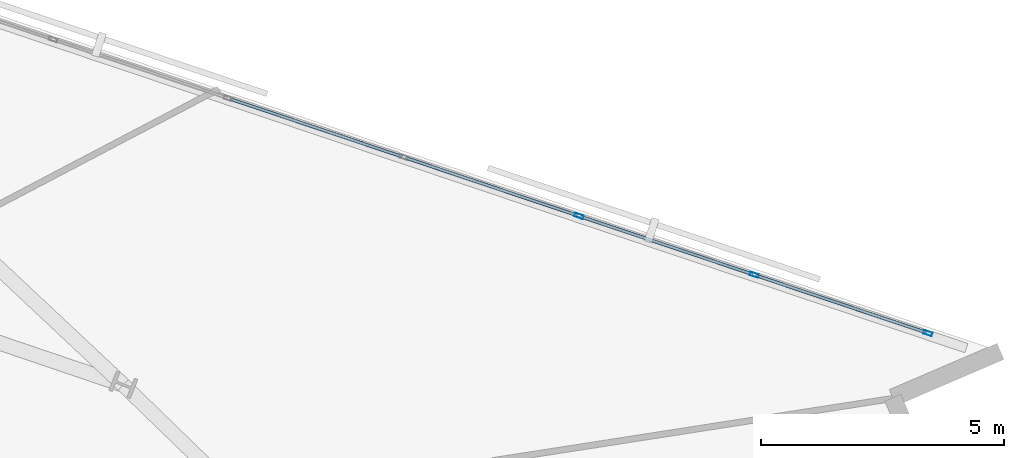
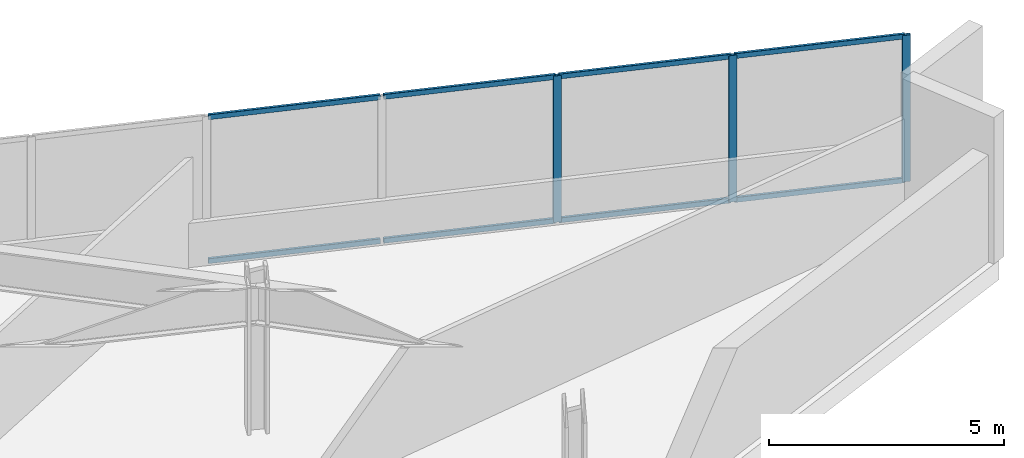
# One storey, part 5 of 14: 11 members, 1 element without a shape of its own.
"""IFC4 building model written with IfcOpenShell, lengths in metres."""

from ifc_helpers import new_model, si_unit, direction, frame, origin, origin_2d, place, context, subcontext, project, spatial, hollow_rectangle, extrude, material, material_profile, profile_set, type_object, element, aggregate, save


model = new_model("IFC4")

# Units and contexts
model_context = context("Model", 3, precision=1e-05, world=origin(), true_north=direction((0.0, 1.0)))
body_context = subcontext(model_context, "Body", "Model", "MODEL_VIEW")
ifc_project = project(units=[si_unit("LENGTHUNIT", "METRE"), si_unit("AREAUNIT", "SQUARE_METRE"), si_unit("VOLUMEUNIT", "CUBIC_METRE"), si_unit("PLANEANGLEUNIT", "RADIAN"), si_unit("MASSUNIT", "GRAM", prefix="KILO")], contexts=[model_context])

# Site, building, storey
site_placement = place(None, origin())
site = spatial("IfcSite", under=ifc_project, at=site_placement, CompositionType="ELEMENT")
building_placement = place(site_placement, origin())
building = spatial("IfcBuilding", under=site, at=building_placement, Name="Narakoshi Arena Tower", CompositionType="ELEMENT")
storey_placement = place(building_placement, frame((0.0, 0.0, 196.699951171875)))
storey = spatial("IfcBuildingStorey", under=building, at=storey_placement, Name="L53", CompositionType="ELEMENT", Elevation=196.699951171875)

# Curtain wall, members
ifc_material = material(Name="Anodised bronze aluminium 6063-T6", Category="aluminium")
curtain_wall_type = type_object("IfcCurtainWallType", Name="CW-HYP-MID", PredefinedType="NOTDEFINED", material=ifc_material)
curtain_wall_placement = place(storey_placement, origin())
curtain_wall = element("IfcCurtainWall", 1, at=curtain_wall_placement, inside=storey, type_object=curtain_wall_type, Name="L53 Folded Hypotenuse Curtain Wall 1-1", PredefinedType="NOTDEFINED")
ifc_material_profile_1 = material_profile(ifc_material, hollow_rectangle(XDim=0.074951171875, YDim=0.179931640625, WallThickness=0.00390625, OuterFilletRadius=0.0048828125, at=origin_2d()), Name="MUL180x75x4")
ifc_profile_set_1 = profile_set([ifc_material_profile_1], Name="Anodised bronze aluminium 6063-T6")
member_type_1 = type_object("IfcMemberType", Name="MEM-MUL-180", PredefinedType="MULLION", material=ifc_profile_set_1)
member_1_placement = place(storey_placement, frame((116.57080078125, 52.6513671875, 0.0), z_axis=(0.0, 0.0, 1.0), x_axis=(-0.318260960253, -0.948003144077, 0.0)))
member_1 = element("IfcMember", 2, at=member_1_placement, type_object=member_type_1, Name="CW-02 mullion 1", PredefinedType="MULLION", context=body_context, shape_type="SweptSolid", body=[
    extrude(hollow_rectangle(XDim=0.074951171875, YDim=0.179931640625, WallThickness=0.00390625, OuterFilletRadius=0.0048828125, at=origin_2d()), origin(), (0.0, 0.0, 1.0), 3.800048828125),
])
member_2_placement = place(storey_placement, frame((112.998779296875, 53.8505859375, 0.0), z_axis=(0.0, 0.0, 1.0), x_axis=(-0.318260960253, -0.948003144077, 0.0)))
member_2 = element("IfcMember", 3, at=member_2_placement, type_object=member_type_1, Name="CW-02 mullion 2", PredefinedType="MULLION", context=body_context, shape_type="SweptSolid", body=[
    extrude(hollow_rectangle(XDim=0.074951171875, YDim=0.179931640625, WallThickness=0.00390625, OuterFilletRadius=0.0048828125, at=origin_2d()), origin(), (0.0, 0.0, 1.0), 3.800048828125),
])
member_3_placement = place(storey_placement, frame((109.39111328125, 55.061767578125, 0.0), z_axis=(0.0, 0.0, 1.0), x_axis=(-0.318260960253, -0.948003144077, 0.0)))
member_3 = element("IfcMember", 4, at=member_3_placement, type_object=member_type_1, Name="CW-02 mullion 3", PredefinedType="MULLION", context=body_context, shape_type="SweptSolid", body=[
    extrude(hollow_rectangle(XDim=0.074951171875, YDim=0.179931640625, WallThickness=0.00390625, OuterFilletRadius=0.0048828125, at=origin_2d()), origin(), (0.0, 0.0, 1.0), 3.800048828125),
])
ifc_material_profile_2 = material_profile(ifc_material, hollow_rectangle(XDim=0.06494140625, YDim=0.1298828125, WallThickness=0.00390625, OuterFilletRadius=0.0048828125, at=origin_2d()), Name="TRN130x65x4")
ifc_profile_set_2 = profile_set([ifc_material_profile_2], Name="Anodised bronze aluminium 6063-T6")
member_type_2 = type_object("IfcMemberType", Name="MEM-TRN-130", PredefinedType="USERDEFINED", material=ifc_profile_set_2)
member_4_placement = place(storey_placement, frame((116.53515625, 52.663330078125, 0.032470703125), z_axis=(-0.948006826737, 0.31824999051, 0.0), x_axis=(-0.31824999051, -0.948006826737, 0.0)))
member_4 = element("IfcMember", 5, at=member_4_placement, type_object=member_type_2, Name="CW-02 transom 1.1", ObjectType="TRANSOM", PredefinedType="USERDEFINED", context=body_context, shape_type="SweptSolid", body=[
    extrude(hollow_rectangle(XDim=0.06494140625, YDim=0.1298828125, WallThickness=0.00390625, OuterFilletRadius=0.0048828125, at=origin_2d()), origin(), (0.0, 0.0, 1.0), 3.69287109375),
])
member_5_placement = place(storey_placement, frame((116.53515625, 52.663330078125, 3.767578125), z_axis=(-0.948006826737, 0.31824999051, 0.0), x_axis=(-0.31824999051, -0.948006826737, 0.0)))
member_5 = element("IfcMember", 6, at=member_5_placement, type_object=member_type_2, Name="CW-02 transom 1.2", ObjectType="TRANSOM", PredefinedType="USERDEFINED", context=body_context, shape_type="SweptSolid", body=[
    extrude(hollow_rectangle(XDim=0.06494140625, YDim=0.1298828125, WallThickness=0.00390625, OuterFilletRadius=0.0048828125, at=origin_2d()), origin(), (0.0, 0.0, 1.0), 3.69287109375),
])
member_6_placement = place(storey_placement, frame((112.963134765625, 53.862548828125, 0.032470703125), z_axis=(-0.948000451231, 0.318268981314, 0.0), x_axis=(-0.318268981314, -0.948000451231, 0.0)))
member_6 = element("IfcMember", 7, at=member_6_placement, type_object=member_type_2, Name="CW-02 transom 2.1", ObjectType="TRANSOM", PredefinedType="USERDEFINED", context=body_context, shape_type="SweptSolid", body=[
    extrude(hollow_rectangle(XDim=0.06494140625, YDim=0.1298828125, WallThickness=0.00390625, OuterFilletRadius=0.0048828125, at=origin_2d()), origin(), (0.0, 0.0, 1.0), 3.73046875),
])
member_7_placement = place(storey_placement, frame((112.963134765625, 53.862548828125, 3.767578125), z_axis=(-0.948000451231, 0.318268981314, 0.0), x_axis=(-0.318268981314, -0.948000451231, 0.0)))
member_7 = element("IfcMember", 8, at=member_7_placement, type_object=member_type_2, Name="CW-02 transom 2.2", ObjectType="TRANSOM", PredefinedType="USERDEFINED", context=body_context, shape_type="SweptSolid", body=[
    extrude(hollow_rectangle(XDim=0.06494140625, YDim=0.1298828125, WallThickness=0.00390625, OuterFilletRadius=0.0048828125, at=origin_2d()), origin(), (0.0, 0.0, 1.0), 3.73046875),
])
member_8_placement = place(storey_placement, frame((109.35546875, 55.073486328125, 0.032470703125), z_axis=(-0.948000451231, 0.318268981314, 0.0), x_axis=(-0.318268981314, -0.948000451231, 0.0)))
member_8 = element("IfcMember", 9, at=member_8_placement, type_object=member_type_2, Name="CW-02 transom 3.1", ObjectType="TRANSOM", PredefinedType="USERDEFINED", context=body_context, shape_type="SweptSolid", body=[
    extrude(hollow_rectangle(XDim=0.06494140625, YDim=0.1298828125, WallThickness=0.00390625, OuterFilletRadius=0.0048828125, at=origin_2d()), origin(), (0.0, 0.0, 1.0), 3.73046875),
])
member_9_placement = place(storey_placement, frame((109.35546875, 55.073486328125, 3.767578125), z_axis=(-0.948000451231, 0.318268981314, 0.0), x_axis=(-0.318268981314, -0.948000451231, 0.0)))
member_9 = element("IfcMember", 10, at=member_9_placement, type_object=member_type_2, Name="CW-02 transom 3.2", ObjectType="TRANSOM", PredefinedType="USERDEFINED", context=body_context, shape_type="SweptSolid", body=[
    extrude(hollow_rectangle(XDim=0.06494140625, YDim=0.1298828125, WallThickness=0.00390625, OuterFilletRadius=0.0048828125, at=origin_2d()), origin(), (0.0, 0.0, 1.0), 3.73046875),
])
member_10_placement = place(storey_placement, frame((105.748046875, 56.28466796875, 0.032470703125), z_axis=(-0.948007080082, 0.318249235844, 0.0), x_axis=(-0.318249235844, -0.948007080082, 0.0)))
member_10 = element("IfcMember", 11, at=member_10_placement, type_object=member_type_2, Name="CW-02 transom 4.1", ObjectType="TRANSOM", PredefinedType="USERDEFINED", context=body_context, shape_type="SweptSolid", body=[
    extrude(hollow_rectangle(XDim=0.06494140625, YDim=0.1298828125, WallThickness=0.00390625, OuterFilletRadius=0.0048828125, at=origin_2d()), origin(), (0.0, 0.0, 1.0), 3.73046875),
])
member_11_placement = place(storey_placement, frame((105.748046875, 56.28466796875, 3.767578125), z_axis=(-0.948007080082, 0.318249235844, 0.0), x_axis=(-0.318249235844, -0.948007080082, 0.0)))
member_11 = element("IfcMember", 12, at=member_11_placement, type_object=member_type_2, Name="CW-02 transom 4.2", ObjectType="TRANSOM", PredefinedType="USERDEFINED", context=body_context, shape_type="SweptSolid", body=[
    extrude(hollow_rectangle(XDim=0.06494140625, YDim=0.1298828125, WallThickness=0.00390625, OuterFilletRadius=0.0048828125, at=origin_2d()), origin(), (0.0, 0.0, 1.0), 3.73046875),
])
aggregate(curtain_wall, [member_1, member_2, member_3, member_4, member_5, member_6, member_7, member_8, member_9, member_10, member_11])

save(model, "model.ifc")
